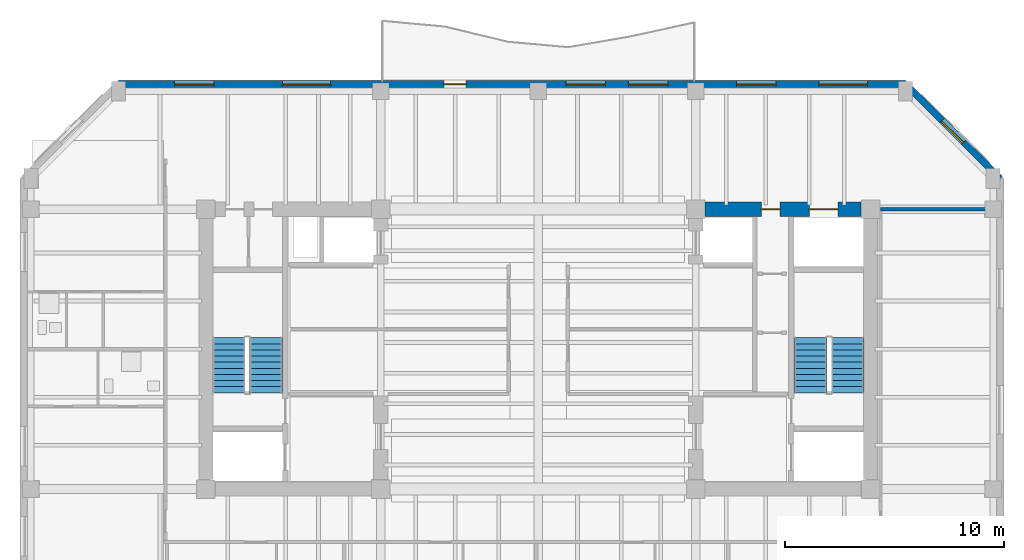
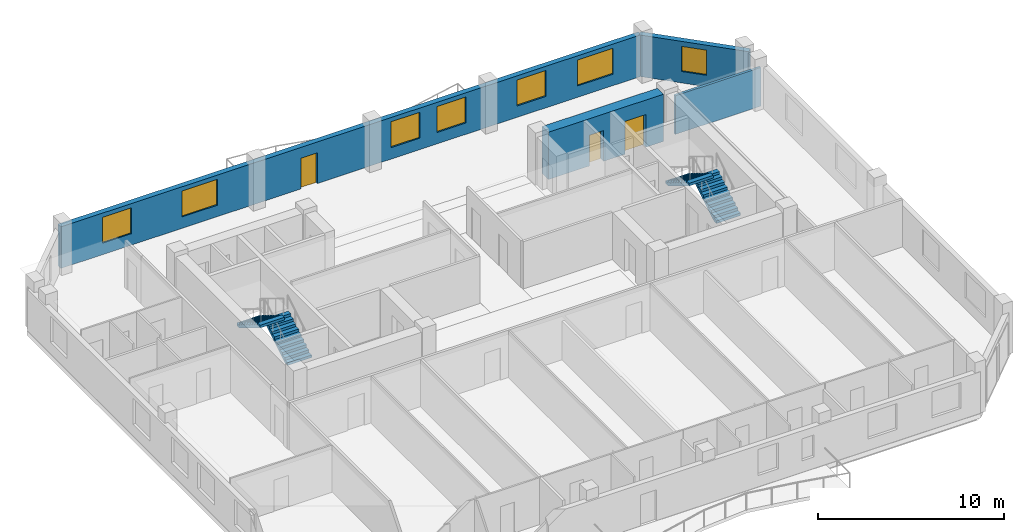
# One storey, part 6 of 11: 7 windows, 4 stair flights, 4 walls, 3 doors, 10 openings, 2 elements without a shape of their own.
"""IFC4 building model written with IfcOpenShell, lengths in metres."""

from ifc_helpers import new_model, si_unit, direction, frame, frame_2d, origin, place, context, subcontext, project, spatial, polyline, rectangle, outline, extrude, material, layer, layer_set, type_object, element, fill, aggregate, save


model = new_model("IFC4")

# Units and contexts
model_context = context("Model", 3, precision=1e-05, world=origin(), true_north=direction((0.0, 1.0)))
body_context = subcontext(model_context, "Body", "Model", "MODEL_VIEW")
ifc_project = project(units=[si_unit("LENGTHUNIT", "METRE"), si_unit("AREAUNIT", "SQUARE_METRE"), si_unit("VOLUMEUNIT", "CUBIC_METRE"), si_unit("PLANEANGLEUNIT", "RADIAN"), si_unit("MASSUNIT", "GRAM", prefix="KILO")], contexts=[model_context])

# Site, building, storey
site_placement = place(None, origin())
site = spatial("IfcSite", under=ifc_project, at=site_placement, CompositionType="ELEMENT")
building_placement = place(site_placement, origin())
building = spatial("IfcBuilding", under=site, at=building_placement, Name="Kranthara Brick Stack", CompositionType="ELEMENT")
storey_placement = place(building_placement, frame((0.0, 0.0, 221.10009765625)))
storey = spatial("IfcBuildingStorey", under=building, at=storey_placement, Name="L57", CompositionType="ELEMENT", Elevation=221.10009765625)

# Wall, openings, door, windows
ifc_material_1 = material(Name="Warm buff clay brick masonry M15", Category="masonry")
ifc_layer_1 = layer(ifc_material_1, 0.320068359375)
ifc_layer_set_1 = layer_set([ifc_layer_1], Name="Warm buff clay brick masonry M15")
wall_type_1 = type_object("IfcWallType", Name="WL-BRK-UPPR-320", PredefinedType="STANDARD", material=ifc_layer_set_1)
wall_1_placement = place(storey_placement, frame((8.800048828125, 39.320068359375, 0.0), z_axis=(0.0, 0.0, 1.0), x_axis=(1.0, 0.0, 0.0)))
wall_1 = element("IfcWall", 1, at=wall_1_placement, inside=storey, type_object=wall_type_1, Name="L57 Exterior Brick Facade Wall NORTH 1", PredefinedType="STANDARD", context=body_context, shape_type="SweptSolid", body=[
    extrude(rectangle(XDim=36.0, YDim=0.320068359375, at=frame_2d((18.0, 0.0))), origin(), (0.0, 0.0, 1.0), 2.724853515625),
])
opening_1_placement = place(wall_1_placement, frame((14.89990234375, 0.0, 0.0)))
opening_1 = element("IfcOpeningElement", 2, at=opening_1_placement, cuts=wall_1, Name="Opening D03", PredefinedType="OPENING", context=body_context, shape_type="SweptSolid", body=[
    extrude(rectangle(XDim=1.0, YDim=2.02001953125, at=frame_2d((0.5, 1.010009765625))), frame((0.0, 0.169921875, 0.0), z_axis=(0.0, -1.0, 0.0), x_axis=(1.0, 0.0, 0.0)), (0.0, 0.0, 1.0), 0.340087890625),
])
opening_2_placement = place(wall_1_placement, frame((2.575927734375, 0.0, 0.75)))
opening_2 = element("IfcOpeningElement", 3, at=opening_2_placement, cuts=wall_1, Name="Opening WN07", PredefinedType="OPENING", context=body_context, shape_type="SweptSolid", body=[
    extrude(rectangle(XDim=1.800048828125, YDim=1.699951171875, at=frame_2d((0.89990234375, 0.85009765625))), frame((0.0, 0.169921875, 0.0), z_axis=(0.0, -1.0, 0.0), x_axis=(1.0, 0.0, 0.0)), (0.0, 0.0, 1.0), 0.340087890625),
])
opening_3_placement = place(wall_1_placement, frame((7.5, 0.0, 0.75)))
opening_3 = element("IfcOpeningElement", 4, at=opening_3_placement, cuts=wall_1, Name="Opening WN08", PredefinedType="OPENING", context=body_context, shape_type="SweptSolid", body=[
    extrude(rectangle(XDim=2.199951171875, YDim=1.699951171875, at=frame_2d((1.10009765625, 0.85009765625))), frame((0.0, 0.169921875, 0.0), z_axis=(0.0, -1.0, 0.0), x_axis=(1.0, 0.0, 0.0)), (0.0, 0.0, 1.0), 0.340087890625),
])
opening_4_placement = place(wall_1_placement, frame((20.471923828125, 0.0, 0.75)))
opening_4 = element("IfcOpeningElement", 5, at=opening_4_placement, cuts=wall_1, Name="Opening WN07", PredefinedType="OPENING", context=body_context, shape_type="SweptSolid", body=[
    extrude(rectangle(XDim=1.800048828125, YDim=1.699951171875, at=frame_2d((0.89990234375, 0.85009765625))), frame((0.0, 0.169921875, 0.0), z_axis=(0.0, -1.0, 0.0), x_axis=(1.0, 0.0, 0.0)), (0.0, 0.0, 1.0), 0.340087890625),
])
opening_5_placement = place(wall_1_placement, frame((23.327880859375, 0.0, 0.75)))
opening_5 = element("IfcOpeningElement", 6, at=opening_5_placement, cuts=wall_1, Name="Opening WN07", PredefinedType="OPENING", context=body_context, shape_type="SweptSolid", body=[
    extrude(rectangle(XDim=1.800048828125, YDim=1.699951171875, at=frame_2d((0.89990234375, 0.85009765625))), frame((0.0, 0.169921875, 0.0), z_axis=(0.0, -1.0, 0.0), x_axis=(1.0, 0.0, 0.0)), (0.0, 0.0, 1.0), 0.340087890625),
])
opening_6_placement = place(wall_1_placement, frame((28.277099609375, 0.0, 0.75)))
opening_6 = element("IfcOpeningElement", 7, at=opening_6_placement, cuts=wall_1, Name="Opening WN07", PredefinedType="OPENING", context=body_context, shape_type="SweptSolid", body=[
    extrude(rectangle(XDim=1.800048828125, YDim=1.699951171875, at=frame_2d((0.89990234375, 0.85009765625))), frame((0.0, 0.169921875, 0.0), z_axis=(0.0, -1.0, 0.0), x_axis=(1.0, 0.0, 0.0)), (0.0, 0.0, 1.0), 0.340087890625),
])
opening_7_placement = place(wall_1_placement, frame((32.048095703125, 0.0, 0.75)))
opening_7 = element("IfcOpeningElement", 8, at=opening_7_placement, cuts=wall_1, Name="Opening WN08", PredefinedType="OPENING", context=body_context, shape_type="SweptSolid", body=[
    extrude(rectangle(XDim=2.199951171875, YDim=1.699951171875, at=frame_2d((1.10009765625, 0.85009765625))), frame((0.0, 0.169921875, 0.0), z_axis=(0.0, -1.0, 0.0), x_axis=(1.0, 0.0, 0.0)), (0.0, 0.0, 1.0), 0.340087890625),
])
ifc_material_2 = material(Name="Bronze anodised aluminium and laminated glass", Category="aluminium")
door_type_1 = type_object("IfcDoorType", Name="DR-BALC-1000", OperationType="NOTDEFINED", PredefinedType="DOOR", material=ifc_material_2)
door_1_placement = place(opening_1_placement, origin())
door_1 = element("IfcDoor", 9, at=door_1_placement, inside=storey, type_object=door_type_1, Name="L57 North Balcony Terrace Door", OperationType="SINGLE_SWING_RIGHT", OverallHeight=2.02001953125, OverallWidth=1.0, PredefinedType="DOOR", context=body_context, shape_type="SweptSolid", body=[
    extrude(rectangle(XDim=1.0, YDim=2.02001953125, at=frame_2d((0.5, 1.010009765625))), frame((0.0, 0.02490234375, 0.0), z_axis=(0.0, -1.0, 0.0), x_axis=(1.0, 0.0, 0.0)), (0.0, 0.0, 1.0), 0.050048828125),
])
fill(opening_1, door_1)
ifc_material_3 = material(Name="Double-glazed low-E solar control glass", Category="glass")
window_type_1 = type_object("IfcWindowType", Name="WN-RES-1800x1850", PartitioningType="DOUBLE_PANEL_VERTICAL", PredefinedType="WINDOW", material=ifc_material_3)
window_1_placement = place(opening_2_placement, origin())
window_1 = element("IfcWindow", 10, at=window_1_placement, inside=storey, type_object=window_type_1, Name="L57 North Deep-Set Brick Window 01", OverallHeight=1.699951171875, OverallWidth=1.800048828125, PartitioningType="SINGLE_PANEL", PredefinedType="WINDOW", context=body_context, shape_type="SweptSolid", body=[
    extrude(rectangle(XDim=1.800048828125, YDim=1.699951171875, at=frame_2d((0.89990234375, 0.85009765625))), frame((0.0, -0.010009765625, 0.0), z_axis=(0.0, -1.0, 0.0), x_axis=(1.0, 0.0, 0.0)), (0.0, 0.0, 1.0), 0.06005859375),
])
fill(opening_2, window_1)
window_2_placement = place(opening_4_placement, origin())
window_2 = element("IfcWindow", 11, at=window_2_placement, inside=storey, type_object=window_type_1, Name="L57 North Deep-Set Brick Window 03", OverallHeight=1.699951171875, OverallWidth=1.800048828125, PartitioningType="SINGLE_PANEL", PredefinedType="WINDOW", context=body_context, shape_type="SweptSolid", body=[
    extrude(rectangle(XDim=1.800048828125, YDim=1.699951171875, at=frame_2d((0.89990234375, 0.85009765625))), frame((0.0, -0.010009765625, 0.0), z_axis=(0.0, -1.0, 0.0), x_axis=(1.0, 0.0, 0.0)), (0.0, 0.0, 1.0), 0.06005859375),
])
fill(opening_4, window_2)
window_3_placement = place(opening_5_placement, origin())
window_3 = element("IfcWindow", 12, at=window_3_placement, inside=storey, type_object=window_type_1, Name="L57 North Deep-Set Brick Window 04", OverallHeight=1.699951171875, OverallWidth=1.800048828125, PartitioningType="SINGLE_PANEL", PredefinedType="WINDOW", context=body_context, shape_type="SweptSolid", body=[
    extrude(rectangle(XDim=1.800048828125, YDim=1.699951171875, at=frame_2d((0.89990234375, 0.85009765625))), frame((0.0, -0.010009765625, 0.0), z_axis=(0.0, -1.0, 0.0), x_axis=(1.0, 0.0, 0.0)), (0.0, 0.0, 1.0), 0.06005859375),
])
fill(opening_5, window_3)
window_4_placement = place(opening_6_placement, origin())
window_4 = element("IfcWindow", 13, at=window_4_placement, inside=storey, type_object=window_type_1, Name="L57 North Deep-Set Brick Window 05", OverallHeight=1.699951171875, OverallWidth=1.800048828125, PartitioningType="SINGLE_PANEL", PredefinedType="WINDOW", context=body_context, shape_type="SweptSolid", body=[
    extrude(rectangle(XDim=1.800048828125, YDim=1.699951171875, at=frame_2d((0.89990234375, 0.85009765625))), frame((0.0, -0.010009765625, 0.0), z_axis=(0.0, -1.0, 0.0), x_axis=(1.0, 0.0, 0.0)), (0.0, 0.0, 1.0), 0.06005859375),
])
fill(opening_6, window_4)
ifc_material_4 = material(Name="Double-glazed low-E solar control glass", Category="glass")
window_type_2 = type_object("IfcWindowType", Name="WN-RES-2200x1850", PartitioningType="TRIPLE_PANEL_VERTICAL", PredefinedType="WINDOW", material=ifc_material_4)
window_5_placement = place(opening_3_placement, origin())
window_5 = element("IfcWindow", 14, at=window_5_placement, inside=storey, type_object=window_type_2, Name="L57 North Deep-Set Brick Window 02", OverallHeight=1.699951171875, OverallWidth=2.199951171875, PartitioningType="SINGLE_PANEL", PredefinedType="WINDOW", context=body_context, shape_type="SweptSolid", body=[
    extrude(rectangle(XDim=2.199951171875, YDim=1.699951171875, at=frame_2d((1.10009765625, 0.85009765625))), frame((0.0, -0.010009765625, 0.0), z_axis=(0.0, -1.0, 0.0), x_axis=(1.0, 0.0, 0.0)), (0.0, 0.0, 1.0), 0.06005859375),
])
fill(opening_3, window_5)
window_6_placement = place(opening_7_placement, origin())
window_6 = element("IfcWindow", 15, at=window_6_placement, inside=storey, type_object=window_type_2, Name="L57 North Deep-Set Brick Window 06", OverallHeight=1.699951171875, OverallWidth=2.199951171875, PartitioningType="SINGLE_PANEL", PredefinedType="WINDOW", context=body_context, shape_type="SweptSolid", body=[
    extrude(rectangle(XDim=2.199951171875, YDim=1.699951171875, at=frame_2d((1.10009765625, 0.85009765625))), frame((0.0, -0.010009765625, 0.0), z_axis=(0.0, -1.0, 0.0), x_axis=(1.0, 0.0, 0.0)), (0.0, 0.0, 1.0), 0.06005859375),
])
fill(opening_7, window_6)

# Wall, opening, window
wall_2_placement = place(storey_placement, frame((44.800048828125, 39.320068359375, 0.0), z_axis=(0.0, 0.0, 1.0), x_axis=(0.707106781187, -0.707106781187, 0.0)))
wall_2 = element("IfcWall", 16, at=wall_2_placement, inside=storey, type_object=wall_type_1, Name="L57 Exterior Brick Facade Wall NE 1", PredefinedType="STANDARD", context=body_context, shape_type="SweptSolid", body=[
    extrude(rectangle(XDim=6.109619140625, YDim=0.320068359375, at=frame_2d((3.0546875, 0.0))), origin(), (0.0, 0.0, 1.0), 2.724853515625),
])
opening_8_placement = place(wall_2_placement, frame((2.35498046875, 0.0, 0.75)))
opening_8 = element("IfcOpeningElement", 17, at=opening_8_placement, cuts=wall_2, Name="Opening WN10", PredefinedType="OPENING", context=body_context, shape_type="SweptSolid", body=[
    extrude(rectangle(XDim=1.39990234375, YDim=1.64990234375, at=frame_2d((0.699951171875, 0.824951171875))), frame((0.0, 0.169921875, 0.0), z_axis=(0.0, -1.0, 0.0), x_axis=(1.0, 0.0, 0.0)), (0.0, 0.0, 1.0), 0.340087890625),
])
ifc_material_5 = material(Name="Double-glazed low-E solar control glass", Category="glass")
window_type_3 = type_object("IfcWindowType", Name="WN-CHM-1400x1750", PartitioningType="SINGLE_PANEL", PredefinedType="WINDOW", material=ifc_material_5)
window_7_placement = place(opening_8_placement, origin())
window_7 = element("IfcWindow", 18, at=window_7_placement, inside=storey, type_object=window_type_3, Name="L57 NE Chamfer Corner Window", OverallHeight=1.64990234375, OverallWidth=1.39990234375, PartitioningType="SINGLE_PANEL", PredefinedType="WINDOW", context=body_context, shape_type="SweptSolid", body=[
    extrude(rectangle(XDim=1.39990234375, YDim=1.64990234375, at=frame_2d((0.699951171875, 0.824951171875))), frame((0.0, -0.010009765625, 0.0), z_axis=(0.0, -1.0, 0.0), x_axis=(1.0, 0.0, 0.0)), (0.0, 0.0, 1.0), 0.06005859375),
])
fill(opening_8, window_7)

# Wall, openings, doors
ifc_material_6 = material(Name="Concrete C60/75", Category="concrete")
ifc_layer_2 = layer(ifc_material_6, 0.64990234375)
ifc_layer_set_2 = layer_set([ifc_layer_2], Name="Concrete C60/75")
wall_type_2 = type_object("IfcWallType", Name="WL-CORE-650", PredefinedType="SHEAR", material=ifc_layer_set_2)
wall_3_placement = place(storey_placement, frame((35.6298828125, 33.60009765625, 0.0), z_axis=(0.0, 0.0, 1.0), x_axis=(1.0, 0.0, 0.0)))
wall_3 = element("IfcWall", 19, at=wall_3_placement, inside=storey, type_object=wall_type_2, Name="L57 East Core Shear Wall North", PredefinedType="SHEAR", context=body_context, shape_type="SweptSolid", body=[
    extrude(rectangle(XDim=7.14013671875, YDim=0.64990234375, at=frame_2d((3.570068359375, 0.0))), origin(), (0.0, 0.0, 1.0), 3.099853515625),
])
opening_9_placement = place(wall_3_placement, frame((4.77001953125, 0.0, 0.0)))
opening_9 = element("IfcOpeningElement", 20, at=opening_9_placement, cuts=wall_3, Name="Opening LD03", PredefinedType="OPENING", context=body_context, shape_type="SweptSolid", body=[
    extrude(rectangle(XDim=1.300048828125, YDim=2.14990234375, at=frame_2d((0.64990234375, 1.074951171875))), frame((0.0, 0.3349609375, 0.0), z_axis=(0.0, -1.0, 0.0), x_axis=(1.0, 0.0, 0.0)), (0.0, 0.0, 1.0), 0.669921875),
])
opening_10_placement = place(wall_3_placement, frame((2.570068359375, 0.0, 0.0)))
opening_10 = element("IfcOpeningElement", 21, at=opening_10_placement, cuts=wall_3, Name="Opening D10", PredefinedType="OPENING", context=body_context, shape_type="SweptSolid", body=[
    extrude(rectangle(XDim=0.85009765625, YDim=2.02001953125, at=frame_2d((0.425048828125, 1.010009765625))), frame((0.0, 0.3349609375, 0.0), z_axis=(0.0, -1.0, 0.0), x_axis=(1.0, 0.0, 0.0)), (0.0, 0.0, 1.0), 0.669921875),
])
ifc_material_7 = material(Name="Stainless steel sliding landing door", Category="steel")
door_type_2 = type_object("IfcDoorType", Name="DR-LD-SV1300", OperationType="DOUBLE_DOOR_SLIDING", PredefinedType="DOOR", material=ifc_material_7)
door_2_placement = place(opening_9_placement, origin())
door_2 = element("IfcDoor", 22, at=door_2_placement, inside=storey, type_object=door_type_2, Name="L57 Stretcher Service Lift SV-01 Landing Door", OperationType="DOUBLE_DOOR_SLIDING", OverallHeight=2.14990234375, OverallWidth=1.300048828125, PredefinedType="DOOR", context=body_context, shape_type="SweptSolid", body=[
    extrude(rectangle(XDim=1.300048828125, YDim=2.14990234375, at=frame_2d((0.64990234375, 1.074951171875))), frame((0.0, 0.02490234375, 0.0), z_axis=(0.0, -1.0, 0.0), x_axis=(1.0, 0.0, 0.0)), (0.0, 0.0, 1.0), 0.050048828125),
])
fill(opening_9, door_2)
ifc_material_8 = material(Name="Solid-core hardwood timber leaf in steel frame", Category="steel")
door_type_3 = type_object("IfcDoorType", Name="DR-RSR-850", OperationType="NOTDEFINED", PredefinedType="DOOR", material=ifc_material_8)
door_3_placement = place(opening_10_placement, origin())
door_3 = element("IfcDoor", 23, at=door_3_placement, inside=storey, type_object=door_type_3, Name="L57 East Core Service Room Door", OperationType="SINGLE_SWING_LEFT", OverallHeight=2.02001953125, OverallWidth=0.85009765625, PredefinedType="DOOR", context=body_context, shape_type="SweptSolid", body=[
    extrude(rectangle(XDim=0.85009765625, YDim=2.02001953125, at=frame_2d((0.425048828125, 1.010009765625))), frame((0.0, 0.02490234375, 0.0), z_axis=(0.0, -1.0, 0.0), x_axis=(1.0, 0.0, 0.0)), (0.0, 0.0, 1.0), 0.050048828125),
])
fill(opening_10, door_3)

# Wall
ifc_material_9 = material(Name="Fire-rated gypsum board partition", Category="other")
ifc_layer_3 = layer(ifc_material_9, 0.14990234375)
ifc_layer_set_3 = layer_set([ifc_layer_3], Name="Fire-rated gypsum board partition")
wall_type_3 = type_object("IfcWallType", Name="WL-PART-150", PredefinedType="PARTITIONING", material=ifc_layer_set_3)
wall_4_placement = place(storey_placement, frame((43.64990234375, 33.60009765625, 0.0), z_axis=(0.0, 0.0, 1.0), x_axis=(1.0, 0.0, 0.0)))
element("IfcWall", 24, at=wall_4_placement, inside=storey, type_object=wall_type_3, Name="L57 Interior Partition 042", PredefinedType="PARTITIONING", context=body_context, shape_type="SweptSolid", body=[
    extrude(rectangle(XDim=5.30517578125, YDim=0.14990234375, at=frame_2d((2.652587890625, 0.0))), origin(), (0.0, 0.0, 1.0), 2.534912109375),
])

# Stair, stair flights
ifc_material_10 = material(Name="Concrete C45/55", Category="concrete")
stair_type = type_object("IfcStairType", Name="ST-CORE-20R", PredefinedType="HALF_TURN_STAIR", material=ifc_material_10)
stair_1_placement = place(storey_placement, origin())
stair_1 = element("IfcStair", 25, at=stair_1_placement, inside=storey, type_object=stair_type, Name="L57 West Core Protected Exit Stair ST01", PredefinedType="HALF_TURN_STAIR")
ifc_material_11 = material(Name="Concrete C45/55", Category="concrete")
stair_flight_type = type_object("IfcStairFlightType", Name="SFL-RC-20R", PredefinedType="STRAIGHT", material=ifc_material_11)
stair_flight_1_placement = place(storey_placement, frame((15.550048828125, 25.199951171875, 0.0), z_axis=(0.0, 0.0, 1.0), x_axis=(0.0, 1.0, 0.0)))
stair_flight_1 = element("IfcStairFlight", 26, at=stair_flight_1_placement, type_object=stair_flight_type, Name="ST01 flight 1", NumberOfRisers=10, NumberOfTreads=9, PredefinedType="STRAIGHT", RiserHeight=0.17, TreadLength=0.28, context=body_context, shape_type="SweptSolid", body=[
    extrude(outline(polyline([(0.0, 0.0), (0.0, 0.169921875), (0.280029296875, 0.169921875), (0.280029296875, 0.340087890625), (0.56005859375, 0.340087890625), (0.56005859375, 0.510009765625), (0.840087890625, 0.510009765625), (0.840087890625, 0.679931640625), (1.1201171875, 0.679931640625), (1.1201171875, 0.85009765625), (1.39990234375, 0.85009765625), (1.39990234375, 1.02001953125), (1.679931640625, 1.02001953125), (1.679931640625, 1.18994140625), (1.9599609375, 1.18994140625), (1.9599609375, 1.360107421875), (2.239990234375, 1.360107421875), (2.239990234375, 1.530029296875), (2.52001953125, 1.530029296875), (2.52001953125, 1.699951171875), (2.52001953125, 1.354736328125), (0.288818359375, 0.0), (0.0, 0.0)])), frame((0.0, 0.75, 0.0), z_axis=(0.0, -1.0, 0.0), x_axis=(1.0, 0.0, 0.0)), (0.0, 0.0, 1.0), 1.5),
])
stair_flight_2_placement = place(storey_placement, frame((13.85009765625, 27.719970703125, 1.699951171875), z_axis=(0.0, 0.0, 1.0), x_axis=(0.0, -1.0, 0.0)))
stair_flight_2 = element("IfcStairFlight", 27, at=stair_flight_2_placement, type_object=stair_flight_type, Name="ST01 flight 2", NumberOfRisers=10, NumberOfTreads=9, PredefinedType="STRAIGHT", RiserHeight=0.17, TreadLength=0.28, context=body_context, shape_type="SweptSolid", body=[
    extrude(outline(polyline([(0.0, 0.0), (0.0, 0.169921875), (0.280029296875, 0.169921875), (0.280029296875, 0.340087890625), (0.56005859375, 0.340087890625), (0.56005859375, 0.510009765625), (0.840087890625, 0.510009765625), (0.840087890625, 0.679931640625), (1.1201171875, 0.679931640625), (1.1201171875, 0.85009765625), (1.39990234375, 0.85009765625), (1.39990234375, 1.02001953125), (1.679931640625, 1.02001953125), (1.679931640625, 1.18994140625), (1.9599609375, 1.18994140625), (1.9599609375, 1.360107421875), (2.239990234375, 1.360107421875), (2.239990234375, 1.530029296875), (2.52001953125, 1.530029296875), (2.52001953125, 1.699951171875), (2.52001953125, 1.354736328125), (0.288818359375, 0.0), (0.0, 0.0)])), frame((0.0, 0.75, 0.0), z_axis=(0.0, -1.0, 0.0), x_axis=(1.0, 0.0, 0.0)), (0.0, 0.0, 1.0), 1.5),
])
aggregate(stair_1, [stair_flight_1, stair_flight_2])

stair_2_placement = place(storey_placement, origin())
stair_2 = element("IfcStair", 28, at=stair_2_placement, inside=storey, type_object=stair_type, Name="L57 East Core Protected Exit Stair ST02", PredefinedType="HALF_TURN_STAIR")
stair_flight_3_placement = place(storey_placement, frame((42.14990234375, 25.199951171875, 0.0), z_axis=(0.0, 0.0, 1.0), x_axis=(0.0, 1.0, 0.0)))
stair_flight_3 = element("IfcStairFlight", 29, at=stair_flight_3_placement, type_object=stair_flight_type, Name="ST02 flight 1", NumberOfRisers=10, NumberOfTreads=9, PredefinedType="STRAIGHT", RiserHeight=0.17, TreadLength=0.28, context=body_context, shape_type="SweptSolid", body=[
    extrude(outline(polyline([(0.0, 0.0), (0.0, 0.169921875), (0.280029296875, 0.169921875), (0.280029296875, 0.340087890625), (0.56005859375, 0.340087890625), (0.56005859375, 0.510009765625), (0.840087890625, 0.510009765625), (0.840087890625, 0.679931640625), (1.1201171875, 0.679931640625), (1.1201171875, 0.85009765625), (1.39990234375, 0.85009765625), (1.39990234375, 1.02001953125), (1.679931640625, 1.02001953125), (1.679931640625, 1.18994140625), (1.9599609375, 1.18994140625), (1.9599609375, 1.360107421875), (2.239990234375, 1.360107421875), (2.239990234375, 1.530029296875), (2.52001953125, 1.530029296875), (2.52001953125, 1.699951171875), (2.52001953125, 1.354736328125), (0.288818359375, 0.0), (0.0, 0.0)])), frame((0.0, 0.75, 0.0), z_axis=(0.0, -1.0, 0.0), x_axis=(1.0, 0.0, 0.0)), (0.0, 0.0, 1.0), 1.5),
])
stair_flight_4_placement = place(storey_placement, frame((40.449951171875, 27.719970703125, 1.699951171875), z_axis=(0.0, 0.0, 1.0), x_axis=(0.0, -1.0, 0.0)))
stair_flight_4 = element("IfcStairFlight", 30, at=stair_flight_4_placement, type_object=stair_flight_type, Name="ST02 flight 2", NumberOfRisers=10, NumberOfTreads=9, PredefinedType="STRAIGHT", RiserHeight=0.17, TreadLength=0.28, context=body_context, shape_type="SweptSolid", body=[
    extrude(outline(polyline([(0.0, 0.0), (0.0, 0.169921875), (0.280029296875, 0.169921875), (0.280029296875, 0.340087890625), (0.56005859375, 0.340087890625), (0.56005859375, 0.510009765625), (0.840087890625, 0.510009765625), (0.840087890625, 0.679931640625), (1.1201171875, 0.679931640625), (1.1201171875, 0.85009765625), (1.39990234375, 0.85009765625), (1.39990234375, 1.02001953125), (1.679931640625, 1.02001953125), (1.679931640625, 1.18994140625), (1.9599609375, 1.18994140625), (1.9599609375, 1.360107421875), (2.239990234375, 1.360107421875), (2.239990234375, 1.530029296875), (2.52001953125, 1.530029296875), (2.52001953125, 1.699951171875), (2.52001953125, 1.354736328125), (0.288818359375, 0.0), (0.0, 0.0)])), frame((0.0, 0.75, 0.0), z_axis=(0.0, -1.0, 0.0), x_axis=(1.0, 0.0, 0.0)), (0.0, 0.0, 1.0), 1.5),
])
aggregate(stair_2, [stair_flight_3, stair_flight_4])

save(model, "model.ifc")
